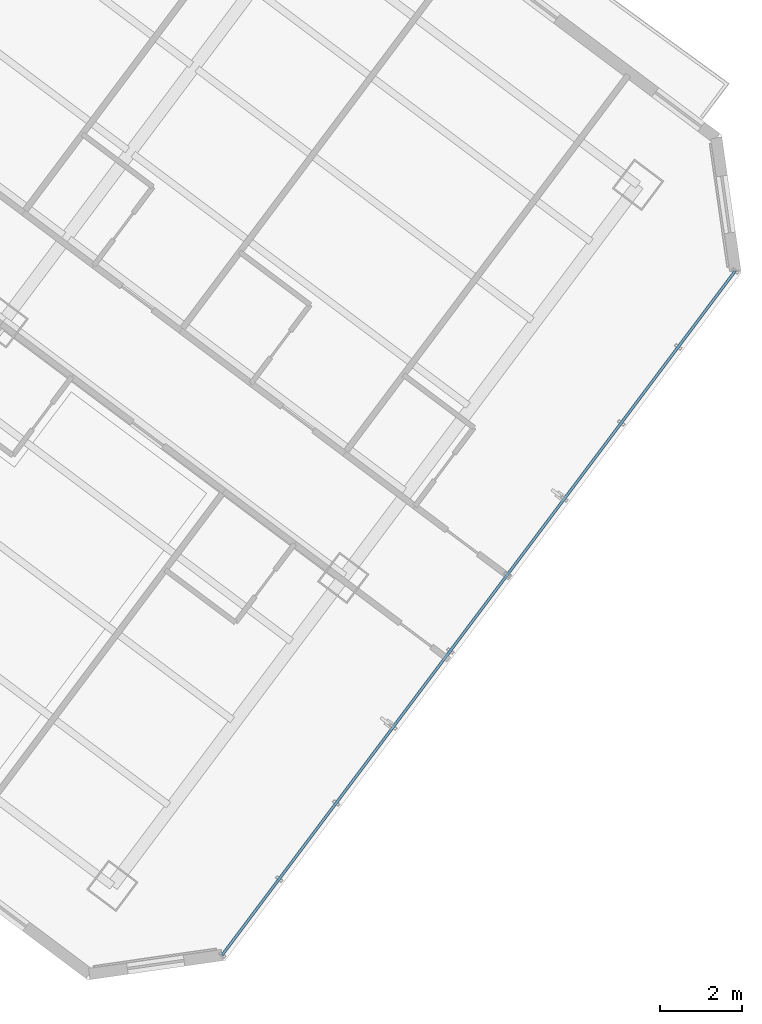
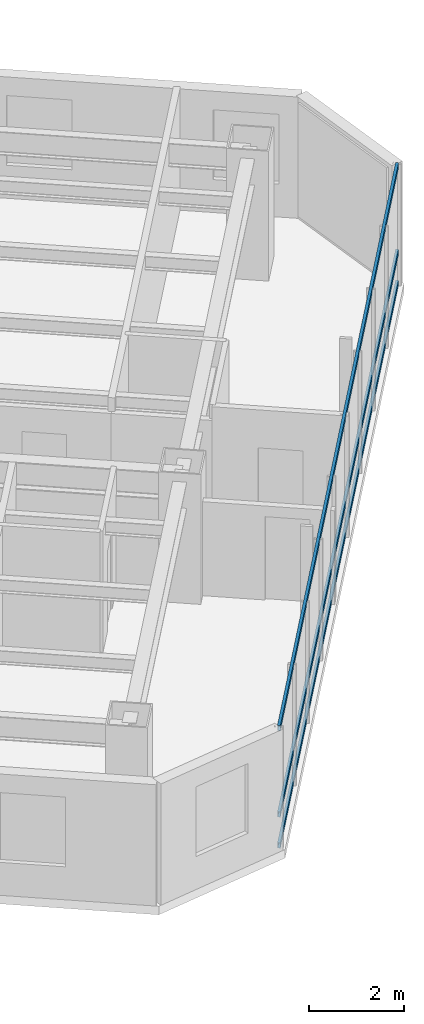
# One storey, part 9 of 31: 3 members, 1 element without a shape of its own.
"""IFC4 building model written with IfcOpenShell, lengths in metres."""

from ifc_helpers import new_model, si_unit, direction, frame, origin, origin_2d, place, context, subcontext, project, spatial, hollow_rectangle, extrude, material, layer, layer_set, material_profile, profile_set, type_object, element, aggregate, save


model = new_model("IFC4")

# Units and contexts
model_context = context("Model", 3, precision=1e-05, world=origin(), true_north=direction((0.0, 1.0)))
body_context = subcontext(model_context, "Body", "Model", "MODEL_VIEW")
ifc_project = project(units=[si_unit("LENGTHUNIT", "METRE"), si_unit("AREAUNIT", "SQUARE_METRE"), si_unit("VOLUMEUNIT", "CUBIC_METRE"), si_unit("PLANEANGLEUNIT", "RADIAN"), si_unit("MASSUNIT", "GRAM", prefix="KILO")], contexts=[model_context])

# Site, building, storey
site_placement = place(None, origin())
site = spatial("IfcSite", under=ifc_project, at=site_placement, CompositionType="ELEMENT")
building_placement = place(site_placement, origin())
building = spatial("IfcBuilding", under=site, at=building_placement, Name="Hatsunagi Terrace Concourse", CompositionType="ELEMENT")
storey_placement = place(building_placement, frame((0.0, 0.0, 81.300048828125)))
storey = spatial("IfcBuildingStorey", under=building, at=storey_placement, Name="L21", CompositionType="ELEMENT", Elevation=81.300048828125)

# Curtain wall, members
ifc_material_1 = material(Name="Anodised Aluminium Alloy 6063-T5", Category="aluminium")
ifc_layer = layer(ifc_material_1, 0.199951171875)
ifc_layer_set = layer_set([ifc_layer], Name="HotelFacade_CW02")
curtain_wall_type = type_object("IfcCurtainWallType", Name="HotelFacade_CW02", PredefinedType="NOTDEFINED", material=ifc_layer_set)
curtain_wall_placement = place(storey_placement, origin())
curtain_wall = element("IfcCurtainWall", 1, at=curtain_wall_placement, inside=storey, type_object=curtain_wall_type, Name="Unitised Curtain Wall CW-02 CW-L21-03", PredefinedType="NOTDEFINED")
ifc_material_2 = material(Name="Anodised Aluminium Alloy 6063-T5", Category="aluminium")
ifc_material_profile = material_profile(ifc_material_2, hollow_rectangle(XDim=0.06494140625, YDim=0.139892578125, WallThickness=0.00390625, at=origin_2d()), Name="ALU-TRN-140x65x4")
ifc_profile_set = profile_set([ifc_material_profile], Name="Anodised Aluminium Alloy 6063-T5")
member_type = type_object("IfcMemberType", Name="CurtainWallTransom_140x65", PredefinedType="USERDEFINED", material=ifc_profile_set)
member_1_placement = place(storey_placement, frame((69.093017578125, 19.657958984375, 0.050048828125), z_axis=(-0.599970072971, -0.800022444397, 0.0), x_axis=(0.800022444397, -0.599970072971, 0.0)))
member_1 = element("IfcMember", 2, at=member_1_placement, type_object=member_type, Name="Curtain Wall Transom TRN-02", ObjectType="TRANSOM", PredefinedType="USERDEFINED", context=body_context, shape_type="SweptSolid", body=[
    extrude(hollow_rectangle(XDim=0.06494140625, YDim=0.139892578125, WallThickness=0.00390625, at=origin_2d()), origin(), (0.0, 0.0, 1.0), 20.884521484375),
])
member_2_placement = place(storey_placement, frame((69.093017578125, 19.657958984375, 0.849853515625), z_axis=(-0.599970072971, -0.800022444397, 0.0), x_axis=(0.800022444397, -0.599970072971, 0.0)))
member_2 = element("IfcMember", 3, at=member_2_placement, type_object=member_type, Name="Curtain Wall Transom TRN-02", ObjectType="TRANSOM", PredefinedType="USERDEFINED", context=body_context, shape_type="SweptSolid", body=[
    extrude(hollow_rectangle(XDim=0.06494140625, YDim=0.139892578125, WallThickness=0.00390625, at=origin_2d()), origin(), (0.0, 0.0, 1.0), 20.884521484375),
])
member_3_placement = place(storey_placement, frame((69.093017578125, 19.657958984375, 3.079833984375), z_axis=(-0.599970072971, -0.800022444397, 0.0), x_axis=(0.800022444397, -0.599970072971, 0.0)))
member_3 = element("IfcMember", 4, at=member_3_placement, type_object=member_type, Name="Curtain Wall Transom TRN-02", ObjectType="TRANSOM", PredefinedType="USERDEFINED", context=body_context, shape_type="SweptSolid", body=[
    extrude(hollow_rectangle(XDim=0.06494140625, YDim=0.139892578125, WallThickness=0.00390625, at=origin_2d()), origin(), (0.0, 0.0, 1.0), 20.884521484375),
])
aggregate(curtain_wall, [member_1, member_2, member_3])

save(model, "model.ifc")
